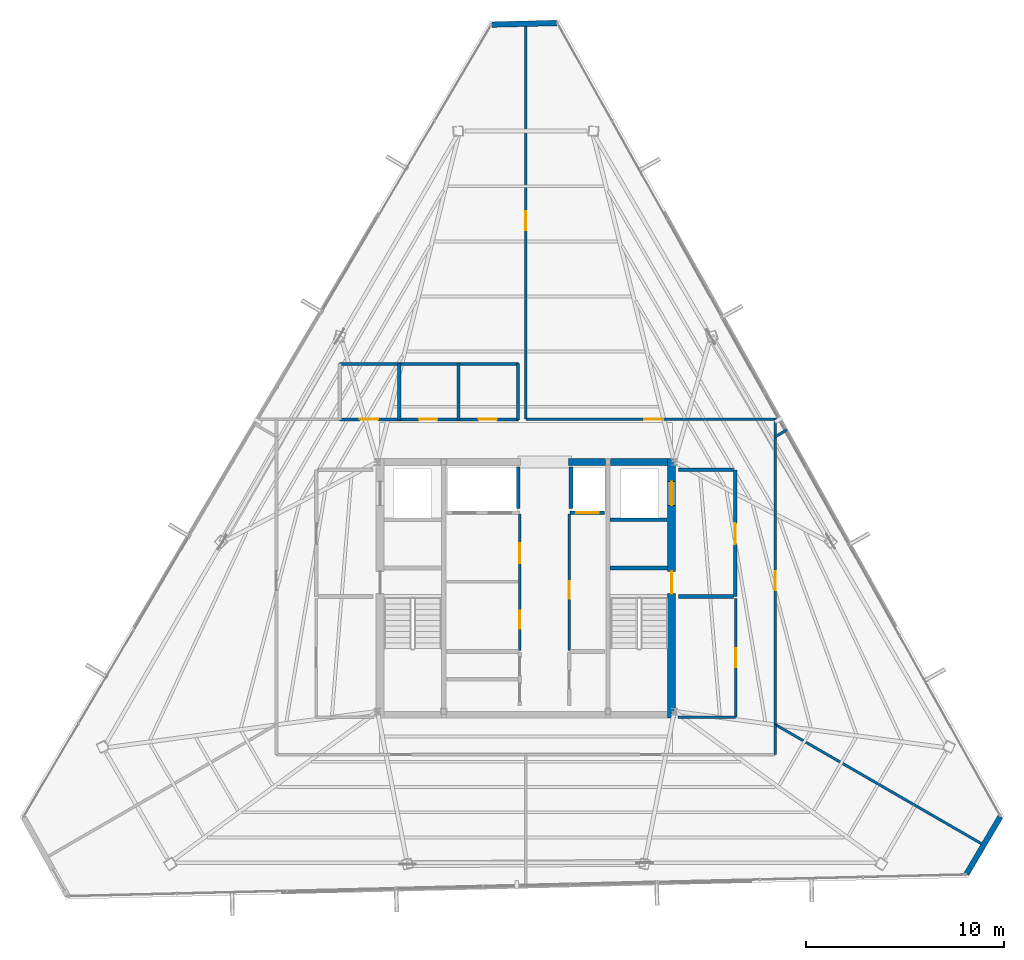
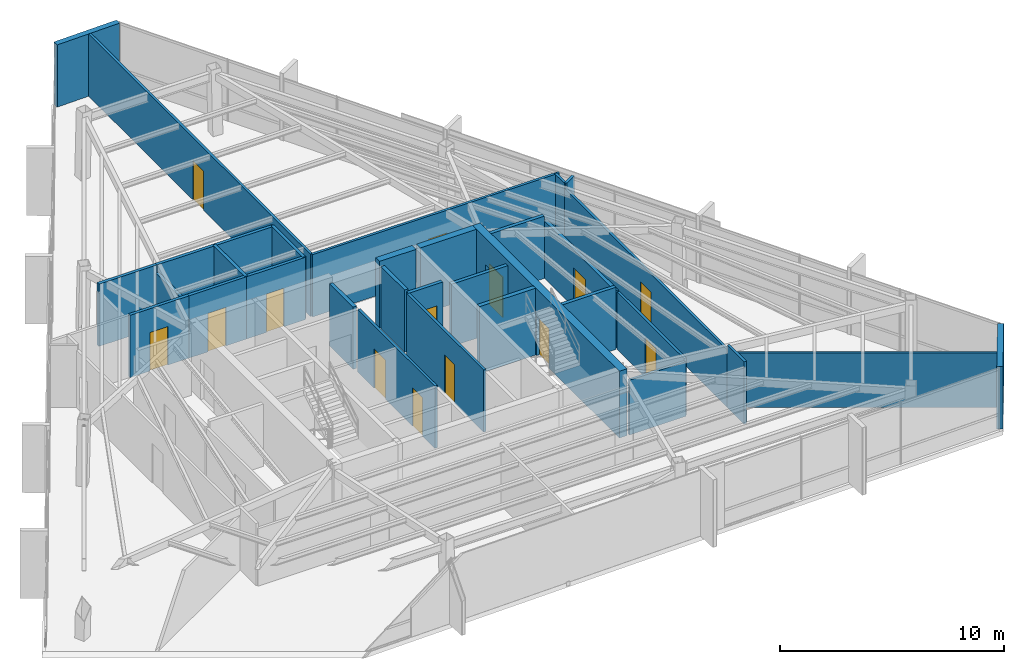
# One storey, part 42 of 45: 33 walls, 14 doors, 14 openings.
"""IFC4 building model written with IfcOpenShell, lengths in metres."""

from ifc_helpers import new_model, si_unit, direction, frame, frame_2d, origin, place, context, subcontext, project, spatial, rectangle, extrude, material, layer, layer_set, type_object, element, fill, save


model = new_model("IFC4")

# Units and contexts
model_context = context("Model", 3, precision=1e-05, world=origin(), true_north=direction((0.0, 1.0)))
body_context = subcontext(model_context, "Body", "Model", "MODEL_VIEW")
ifc_project = project(units=[si_unit("LENGTHUNIT", "METRE"), si_unit("AREAUNIT", "SQUARE_METRE"), si_unit("VOLUMEUNIT", "CUBIC_METRE"), si_unit("PLANEANGLEUNIT", "RADIAN"), si_unit("MASSUNIT", "GRAM", prefix="KILO")], contexts=[model_context])

# Site, building, storey
site_placement = place(None, origin())
site = spatial("IfcSite", under=ifc_project, at=site_placement, CompositionType="ELEMENT")
building_placement = place(site_placement, origin())
building = spatial("IfcBuilding", under=site, at=building_placement, Name="Caelisora Broadcast Tower", CompositionType="ELEMENT")
storey_placement = place(building_placement, frame((0.0, 0.0, 273.64990234375)))
storey = spatial("IfcBuildingStorey", under=building, at=storey_placement, Name="L72", CompositionType="ELEMENT", Elevation=273.64990234375)

# Wall, openings, doors
ifc_material_1 = material(Name="Concrete 40 MPa (AS 3600 N40)", Category="concrete")
ifc_layer_1 = layer(ifc_material_1, 0.39990234375, Name="Concrete 40 MPa (AS 3600 N40)")
ifc_layer_set_1 = layer_set([ifc_layer_1], Name="Concrete 40 MPa (AS 3600 N40)")
wall_type_1 = type_object("IfcWallType", Name="CW3", PredefinedType="SHEAR", material=ifc_layer_set_1)
wall_1_placement = place(storey_placement, frame((45.360107421875, 17.050048828125, 0.0), z_axis=(0.0, 0.0, 1.0), x_axis=(0.0, 1.0, 0.0)))
wall_1 = element("IfcWall", 1, at=wall_1_placement, inside=storey, type_object=wall_type_1, Name="L72 core shear wall CW3", PredefinedType="SHEAR", context=body_context, shape_type="SweptSolid", body=[
    extrude(rectangle(XDim=13.125, YDim=0.39990234375, at=frame_2d((6.5625, 0.0))), origin(), (0.0, 0.0, 1.0), 3.650146484375),
])
opening_1_placement = place(wall_1_placement, frame((6.300048828125, 0.0, 0.0)))
opening_1 = element("IfcOpeningElement", 2, at=opening_1_placement, cuts=wall_1, Name="Opening FD04", PredefinedType="OPENING", context=body_context, shape_type="SweptSolid", body=[
    extrude(rectangle(XDim=1.1201171875, YDim=2.14990234375, at=frame_2d((0.56005859375, 1.074951171875))), frame((0.0, 0.2119140625, 0.0), z_axis=(0.0, -1.0, 0.0), x_axis=(1.0, 0.0, 0.0)), (0.0, 0.0, 1.0), 0.423828125),
])
opening_2_placement = place(wall_1_placement, frame((10.75, 0.0, 0.0)))
opening_2 = element("IfcOpeningElement", 3, at=opening_2_placement, cuts=wall_1, Name="Opening LD04", PredefinedType="OPENING", context=body_context, shape_type="SweptSolid", body=[
    extrude(rectangle(XDim=1.199951171875, YDim=2.199951171875, at=frame_2d((0.60009765625, 1.10009765625))), frame((0.0, 0.2119140625, 0.0), z_axis=(0.0, -1.0, 0.0), x_axis=(1.0, 0.0, 0.0)), (0.0, 0.0, 1.0), 0.423828125),
])
ifc_material_2 = material(Name="Pressurised Fire-Isolated Stair Door", Category="steel")
door_type_1 = type_object("IfcDoorType", Name="FD04", OperationType="NOTDEFINED", PredefinedType="DOOR", material=ifc_material_2)
door_1_placement = place(opening_1_placement, origin())
door_1 = element("IfcDoor", 4, at=door_1_placement, inside=storey, type_object=door_type_1, Name="L72 door FD04 (L72-DR-ST2)", OperationType="SINGLE_SWING_RIGHT", OverallHeight=2.14990234375, OverallWidth=1.1201171875, PredefinedType="DOOR", context=body_context, shape_type="SweptSolid", body=[
    extrude(rectangle(XDim=1.1201171875, YDim=2.14990234375, at=frame_2d((0.56005859375, 1.074951171875))), frame((0.0, 0.02490234375, 0.0), z_axis=(0.0, -1.0, 0.0), x_axis=(1.0, 0.0, 0.0)), (0.0, 0.0, 1.0), 0.050048828125),
])
fill(opening_1, door_1)
ifc_material_3 = material(Name="Emergency Firefighting Lift Sliding Landing Door", Category="steel")
door_type_2 = type_object("IfcDoorType", Name="LD04", OperationType="NOTDEFINED", PredefinedType="DOOR", material=ifc_material_3)
door_2_placement = place(opening_2_placement, origin())
door_2 = element("IfcDoor", 5, at=door_2_placement, inside=storey, type_object=door_type_2, Name="L72 door LD04 (L72-LD-FFL2)", OperationType="SLIDING_TO_RIGHT", OverallHeight=2.199951171875, OverallWidth=1.199951171875, PredefinedType="DOOR", context=body_context, shape_type="SweptSolid", body=[
    extrude(rectangle(XDim=1.199951171875, YDim=2.199951171875, at=frame_2d((0.60009765625, 1.10009765625))), frame((0.0, 0.02490234375, 0.0), z_axis=(0.0, -1.0, 0.0), x_axis=(1.0, 0.0, 0.0)), (0.0, 0.0, 1.0), 0.050048828125),
])
fill(opening_2, door_2)

# Walls
ifc_layer_2 = layer(ifc_material_1, 0.35009765625, Name="Concrete 40 MPa (AS 3600 N40)")
ifc_layer_set_2 = layer_set([ifc_layer_2], Name="Concrete 40 MPa (AS 3600 N40)")
wall_type_2 = type_object("IfcWallType", Name="CW6", PredefinedType="SHEAR", material=ifc_layer_set_2)
wall_2_placement = place(storey_placement, frame((40.159912109375, 30.0, 0.0), z_axis=(0.0, 0.0, 1.0), x_axis=(1.0, 0.0, 0.0)))
element("IfcWall", 6, at=wall_2_placement, inside=storey, type_object=wall_type_2, Name="L72 core shear wall CW6", PredefinedType="SHEAR", context=body_context, shape_type="SweptSolid", body=[
    extrude(rectangle(XDim=1.880126953125, YDim=0.35009765625, at=frame_2d((0.93994140625, 0.0))), origin(), (0.0, 0.0, 1.0), 3.650146484375),
])
wall_3_placement = place(storey_placement, frame((42.260009765625, 30.0, 0.0), z_axis=(0.0, 0.0, 1.0), x_axis=(1.0, 0.0, 0.0)))
element("IfcWall", 7, at=wall_3_placement, inside=storey, type_object=wall_type_2, Name="L72 core shear wall CW6", PredefinedType="SHEAR", context=body_context, shape_type="SweptSolid", body=[
    extrude(rectangle(XDim=2.89990234375, YDim=0.35009765625, at=frame_2d((1.449951171875, 0.0))), origin(), (0.0, 0.0, 1.0), 3.650146484375),
])
ifc_material_4 = material(Name="Concrete 50 MPa (AS 3600 S50)", Category="concrete")
ifc_layer_3 = layer(ifc_material_4, 0.219970703125, Name="Concrete 50 MPa (AS 3600 S50)")
ifc_layer_set_3 = layer_set([ifc_layer_3], Name="Concrete 50 MPa (AS 3600 S50)")
wall_type_3 = type_object("IfcWallType", Name="CW7", PredefinedType="SHEAR", material=ifc_layer_set_3)
wall_4_placement = place(storey_placement, frame((42.260009765625, 24.639892578125, 0.0), z_axis=(0.0, 0.0, 1.0), x_axis=(1.0, 0.0, 0.0)))
element("IfcWall", 8, at=wall_4_placement, inside=storey, type_object=wall_type_3, Name="L72 core shear wall CW7", PredefinedType="SHEAR", context=body_context, shape_type="SweptSolid", body=[
    extrude(rectangle(XDim=2.89990234375, YDim=0.219970703125, at=frame_2d((1.449951171875, 0.0))), origin(), (0.0, 0.0, 1.0), 3.650146484375),
])
ifc_material_5 = material(Name="Insulated Terracotta Spandrel Wall System", Category="masonry")
ifc_layer_4 = layer(ifc_material_5, 0.280029296875, Name="Insulated Terracotta Spandrel Wall System")
ifc_layer_set_4 = layer_set([ifc_layer_4], Name="Insulated Terracotta Spandrel Wall System")
wall_type_4 = type_object("IfcWallType", Name="EW1", PredefinedType="STANDARD", material=ifc_layer_set_4)
wall_5_placement = place(storey_placement, frame((61.966796875, 12.067138671875, 0.0), z_axis=(0.0, 0.0, 1.0), x_axis=(-0.508682807626, -0.860954006452, 0.0)))
element("IfcWall", 9, at=wall_5_placement, inside=storey, type_object=wall_type_4, Name="L72 exterior envelope wall EW1", PredefinedType="STANDARD", context=body_context, shape_type="SweptSolid", body=[
    extrude(rectangle(XDim=3.360595703125, YDim=0.280029296875, at=frame_2d((1.68017578125, 0.0))), origin(), (0.0, 0.0, 1.0), 3.400146484375),
])
wall_6_placement = place(storey_placement, frame((36.291015625, 52.0927734375, 0.0), z_axis=(0.0, 0.0, 1.0), x_axis=(0.999704108514, 0.024324790221, 0.0)))
element("IfcWall", 10, at=wall_6_placement, inside=storey, type_object=wall_type_4, Name="L72 exterior envelope wall EW1", PredefinedType="STANDARD", context=body_context, shape_type="SweptSolid", body=[
    extrude(rectangle(XDim=3.27197265625, YDim=0.280029296875, at=frame_2d((1.635986328125, 0.0))), origin(), (0.0, 0.0, 1.0), 3.400146484375),
])

# Wall, opening, door
ifc_material_6 = material(Name="Fire-Rated Gypsum Shaft and Compartment Wall", Category="gypsum")
ifc_layer_5 = layer(ifc_material_6, 0.179931640625, Name="Fire-Rated Gypsum Shaft and Compartment Wall")
ifc_layer_set_5 = layer_set([ifc_layer_5], Name="Fire-Rated Gypsum Shaft and Compartment Wall")
wall_type_5 = type_object("IfcWallType", Name="PW2", PredefinedType="PARTITIONING", material=ifc_layer_set_5)
wall_7_placement = place(storey_placement, frame((40.219970703125, 27.419921875, 0.0), z_axis=(0.0, 0.0, 1.0), x_axis=(1.0, 0.0, 0.0)))
wall_7 = element("IfcWall", 11, at=wall_7_placement, inside=storey, type_object=wall_type_5, Name="L72 fire compartment wall PW2", PredefinedType="PARTITIONING", context=body_context, shape_type="SweptSolid", body=[
    extrude(rectangle(XDim=1.760009765625, YDim=0.179931640625, at=frame_2d((0.8798828125, 0.0))), origin(), (0.0, 0.0, 1.0), 3.400146484375),
])
opening_3_placement = place(wall_7_placement, frame((0.320068359375, 0.0, 0.0)))
opening_3 = element("IfcOpeningElement", 12, at=opening_3_placement, cuts=wall_7, Name="Opening LD02", PredefinedType="OPENING", context=body_context, shape_type="SweptSolid", body=[
    extrude(rectangle(XDim=1.14990234375, YDim=2.199951171875, at=frame_2d((0.574951171875, 1.10009765625))), frame((0.0, 0.10205078125, 0.0), z_axis=(0.0, -1.0, 0.0), x_axis=(1.0, 0.0, 0.0)), (0.0, 0.0, 1.0), 0.203857421875),
])
ifc_material_7 = material(Name="High-Speed Express Lift Sliding Landing Door", Category="steel")
door_type_3 = type_object("IfcDoorType", Name="LD02", OperationType="NOTDEFINED", PredefinedType="DOOR", material=ifc_material_7)
door_3_placement = place(opening_3_placement, origin())
door_3 = element("IfcDoor", 13, at=door_3_placement, inside=storey, type_object=door_type_3, Name="L72 door LD02 (L72-LD-PLH3)", OperationType="SLIDING_TO_RIGHT", OverallHeight=2.199951171875, OverallWidth=1.14990234375, PredefinedType="DOOR", context=body_context, shape_type="SweptSolid", body=[
    extrude(rectangle(XDim=1.14990234375, YDim=2.199951171875, at=frame_2d((0.574951171875, 1.10009765625))), frame((0.0, 0.02490234375, 0.0), z_axis=(0.0, -1.0, 0.0), x_axis=(1.0, 0.0, 0.0)), (0.0, 0.0, 1.0), 0.050048828125),
])
fill(opening_3, door_3)

# Walls
for number, where, z_axis, x_axis, name in (
    (14, (37.6201171875, 27.639892578125, 0.0), (0.0, 0.0, 1.0), (0.0, 1.0, 0.0), "L72 fire compartment wall PW2"),
    (15, (40.280029296875, 27.639892578125, 0.0), (0.0, 0.0, 1.0), (0.0, 1.0, 0.0), "L72 fire compartment wall PW2"),
):
    element("IfcWall", number, at=place(storey_placement, frame(where, z_axis=z_axis, x_axis=x_axis)), inside=storey, type_object=wall_type_5, Name=name, PredefinedType="PARTITIONING", context=body_context, shape_type="SweptSolid", body=[
        extrude(rectangle(XDim=2.110107421875, YDim=0.179931640625, at=frame_2d((1.05517578125, 0.0))), origin(), (0.0, 0.0, 1.0), 3.400146484375),
    ])

# Wall, opening, door
wall_8_placement = place(storey_placement, frame((48.580078125, 23.199951171875, 0.0), z_axis=(0.0, 0.0, 1.0), x_axis=(0.0, 1.0, 0.0)))
wall_8 = element("IfcWall", 16, at=wall_8_placement, inside=storey, type_object=wall_type_5, Name="L72 fire compartment wall PW2", PredefinedType="PARTITIONING", context=body_context, shape_type="SweptSolid", body=[
    extrude(rectangle(XDim=6.400146484375, YDim=0.179931640625, at=frame_2d((3.2001953125, 0.0))), origin(), (0.0, 0.0, 1.0), 3.12890625),
])
opening_4_placement = place(wall_8_placement, frame((2.64990234375, 0.0, 0.0)))
opening_4 = element("IfcOpeningElement", 17, at=opening_4_placement, cuts=wall_8, Name="Opening FD02", PredefinedType="OPENING", context=body_context, shape_type="SweptSolid", body=[
    extrude(rectangle(XDim=1.050048828125, YDim=2.14990234375, at=frame_2d((0.52490234375, 1.074951171875))), frame((0.0, 0.10205078125, 0.0), z_axis=(0.0, -1.0, 0.0), x_axis=(1.0, 0.0, 0.0)), (0.0, 0.0, 1.0), 0.203857421875),
])
ifc_material_8 = material(Name="Single-Leaf Steel Fire Lobby Door", Category="steel")
door_type_4 = type_object("IfcDoorType", Name="FD02", OperationType="NOTDEFINED", PredefinedType="DOOR", material=ifc_material_8)
door_4_placement = place(opening_4_placement, origin())
door_4 = element("IfcDoor", 18, at=door_4_placement, inside=storey, type_object=door_type_4, Name="L72 door FD02 (L72-DR-P04D1)", OperationType="SINGLE_SWING_RIGHT", OverallHeight=2.14990234375, OverallWidth=1.050048828125, PredefinedType="DOOR", context=body_context, shape_type="SweptSolid", body=[
    extrude(rectangle(XDim=1.050048828125, YDim=2.14990234375, at=frame_2d((0.52490234375, 1.074951171875))), frame((0.0, 0.02490234375, 0.0), z_axis=(0.0, -1.0, 0.0), x_axis=(1.0, 0.0, 0.0)), (0.0, 0.0, 1.0), 0.050048828125),
])
fill(opening_4, door_4)

# Walls
for number, where, z_axis, x_axis, name in (
    (19, (45.719970703125, 23.199951171875, 0.0), (0.0, 0.0, 1.0), (1.0, 0.0, 0.0), "L72 fire compartment wall PW2"),
    (20, (45.719970703125, 29.60009765625, 0.0), (0.0, 0.0, 1.0), (1.0, 0.0, 0.0), "L72 fire compartment wall PW2"),
):
    element("IfcWall", number, at=place(storey_placement, frame(where, z_axis=z_axis, x_axis=x_axis)), inside=storey, type_object=wall_type_5, Name=name, PredefinedType="PARTITIONING", context=body_context, shape_type="SweptSolid", body=[
        extrude(rectangle(XDim=2.760009765625, YDim=0.179931640625, at=frame_2d((1.3798828125, 0.0))), origin(), (0.0, 0.0, 1.0), 3.400146484375),
    ])
wall_9_placement = place(storey_placement, frame((42.239990234375, 27.070068359375, 0.0), z_axis=(0.0, 0.0, 1.0), x_axis=(1.0, 0.0, 0.0)))
element("IfcWall", 21, at=wall_9_placement, inside=storey, type_object=wall_type_5, Name="L72 fire compartment wall PW2", PredefinedType="PARTITIONING", context=body_context, shape_type="SweptSolid", body=[
    extrude(rectangle(XDim=2.89990234375, YDim=0.179931640625, at=frame_2d((1.449951171875, 0.0))), origin(), (0.0, 0.0, 1.0), 3.400146484375),
])

# Wall, openings, doors
ifc_material_9 = material(Name="Acoustic Steel-Stud Plasterboard Partition", Category="gypsum")
ifc_layer_6 = layer(ifc_material_9, 0.1298828125, Name="Acoustic Steel-Stud Plasterboard Partition")
ifc_layer_set_6 = layer_set([ifc_layer_6], Name="Acoustic Steel-Stud Plasterboard Partition")
wall_type_6 = type_object("IfcWallType", Name="PW3", PredefinedType="PARTITIONING", material=ifc_layer_set_6)
wall_10_placement = place(storey_placement, frame((37.679931640625, 20.47998046875, 0.0), z_axis=(0.0, 0.0, 1.0), x_axis=(0.0, 1.0, 0.0)))
wall_10 = element("IfcWall", 22, at=wall_10_placement, inside=storey, type_object=wall_type_6, Name="L72 internal partition PW3", PredefinedType="PARTITIONING", context=body_context, shape_type="SweptSolid", body=[
    extrude(rectangle(XDim=6.89990234375, YDim=0.1298828125, at=frame_2d((3.449951171875, 0.0))), origin(), (0.0, 0.0, 1.0), 3.400146484375),
])
opening_5_placement = place(wall_10_placement, frame((1.10009765625, 0.0, 0.0)))
opening_5 = element("IfcOpeningElement", 23, at=opening_5_placement, cuts=wall_10, Name="Opening FD03", PredefinedType="OPENING", context=body_context, shape_type="SweptSolid", body=[
    extrude(rectangle(XDim=0.89990234375, YDim=2.10009765625, at=frame_2d((0.449951171875, 1.050048828125))), frame((0.0, 0.076904296875, 0.0), z_axis=(0.0, -1.0, 0.0), x_axis=(1.0, 0.0, 0.0)), (0.0, 0.0, 1.0), 0.15380859375),
])
opening_6_placement = place(wall_10_placement, frame((4.39990234375, 0.0, 0.0)))
opening_6 = element("IfcOpeningElement", 24, at=opening_6_placement, cuts=wall_10, Name="Opening D02", PredefinedType="OPENING", context=body_context, shape_type="SweptSolid", body=[
    extrude(rectangle(XDim=1.02001953125, YDim=2.14990234375, at=frame_2d((0.510009765625, 1.074951171875))), frame((0.0, 0.076904296875, 0.0), z_axis=(0.0, -1.0, 0.0), x_axis=(1.0, 0.0, 0.0)), (0.0, 0.0, 1.0), 0.15380859375),
])
ifc_material_10 = material(Name="Solid-Core Timber Archive Suite Door", Category="wood")
door_type_5 = type_object("IfcDoorType", Name="D02", OperationType="NOTDEFINED", PredefinedType="DOOR", material=ifc_material_10)
door_5_placement = place(opening_6_placement, origin())
door_5 = element("IfcDoor", 25, at=door_5_placement, inside=storey, type_object=door_type_5, Name="L72 door D02 (L72-DR-P12D2)", OperationType="SINGLE_SWING_RIGHT", OverallHeight=2.14990234375, OverallWidth=1.02001953125, PredefinedType="DOOR", context=body_context, shape_type="SweptSolid", body=[
    extrude(rectangle(XDim=1.02001953125, YDim=2.14990234375, at=frame_2d((0.510009765625, 1.074951171875))), frame((0.0, 0.02490234375, 0.0), z_axis=(0.0, -1.0, 0.0), x_axis=(1.0, 0.0, 0.0)), (0.0, 0.0, 1.0), 0.050048828125),
])
fill(opening_6, door_5)
ifc_material_11 = material(Name="Single-Leaf Steel Riser Fire Access Door", Category="steel")
door_type_6 = type_object("IfcDoorType", Name="FD03", OperationType="NOTDEFINED", PredefinedType="DOOR", material=ifc_material_11)
door_6_placement = place(opening_5_placement, origin())
door_6 = element("IfcDoor", 26, at=door_6_placement, inside=storey, type_object=door_type_6, Name="L72 door FD03 (L72-DR-P12D1)", OperationType="SINGLE_SWING_LEFT", OverallHeight=2.10009765625, OverallWidth=0.89990234375, PredefinedType="DOOR", context=body_context, shape_type="SweptSolid", body=[
    extrude(rectangle(XDim=0.89990234375, YDim=2.10009765625, at=frame_2d((0.449951171875, 1.050048828125))), frame((0.0, 0.02490234375, 0.0), z_axis=(0.0, -1.0, 0.0), x_axis=(1.0, 0.0, 0.0)), (0.0, 0.0, 1.0), 0.050048828125),
])
fill(opening_5, door_6)

# Wall, opening, door
wall_11_placement = place(storey_placement, frame((40.199951171875, 20.47998046875, 0.0), z_axis=(0.0, 0.0, 1.0), x_axis=(0.0, 1.0, 0.0)))
wall_11 = element("IfcWall", 27, at=wall_11_placement, inside=storey, type_object=wall_type_6, Name="L72 internal partition PW3", PredefinedType="PARTITIONING", context=body_context, shape_type="SweptSolid", body=[
    extrude(rectangle(XDim=6.89990234375, YDim=0.1298828125, at=frame_2d((3.449951171875, 0.0))), origin(), (0.0, 0.0, 1.0), 3.400146484375),
])
opening_7_placement = place(wall_11_placement, frame((2.60009765625, 0.0, 0.0)))
opening_7 = element("IfcOpeningElement", 28, at=opening_7_placement, cuts=wall_11, Name="Opening FD03", PredefinedType="OPENING", context=body_context, shape_type="SweptSolid", body=[
    extrude(rectangle(XDim=0.89990234375, YDim=2.10009765625, at=frame_2d((0.449951171875, 1.050048828125))), frame((0.0, 0.076904296875, 0.0), z_axis=(0.0, -1.0, 0.0), x_axis=(1.0, 0.0, 0.0)), (0.0, 0.0, 1.0), 0.15380859375),
])
door_7_placement = place(opening_7_placement, origin())
door_7 = element("IfcDoor", 29, at=door_7_placement, inside=storey, type_object=door_type_6, Name="L72 door FD03 (L72-DR-P13D1)", OperationType="SINGLE_SWING_LEFT", OverallHeight=2.10009765625, OverallWidth=0.89990234375, PredefinedType="DOOR", context=body_context, shape_type="SweptSolid", body=[
    extrude(rectangle(XDim=0.89990234375, YDim=2.10009765625, at=frame_2d((0.449951171875, 1.050048828125))), frame((0.0, 0.02490234375, 0.0), z_axis=(0.0, -1.0, 0.0), x_axis=(1.0, 0.0, 0.0)), (0.0, 0.0, 1.0), 0.050048828125),
])
fill(opening_7, door_7)

wall_12_placement = place(storey_placement, frame((38.0, 32.155029296875, 0.0), z_axis=(0.0, 0.0, 1.0), x_axis=(0.0, 1.0, 0.0)))
wall_12 = element("IfcWall", 30, at=wall_12_placement, inside=storey, type_object=wall_type_6, Name="L72 internal partition PW3", PredefinedType="PARTITIONING", context=body_context, shape_type="SweptSolid", body=[
    extrude(rectangle(XDim=19.984130859375, YDim=0.1298828125, at=frame_2d((9.9921875, 0.0))), origin(), (0.0, 0.0, 1.0), 3.400146484375),
])
opening_8_placement = place(wall_12_placement, frame((9.556884765625, 0.0, 0.0)))
opening_8 = element("IfcOpeningElement", 31, at=opening_8_placement, cuts=wall_12, Name="Opening D01", PredefinedType="OPENING", context=body_context, shape_type="SweptSolid", body=[
    extrude(rectangle(XDim=0.9599609375, YDim=2.14990234375, at=frame_2d((0.47998046875, 1.074951171875))), frame((0.0, 0.076904296875, 0.0), z_axis=(0.0, -1.0, 0.0), x_axis=(1.0, 0.0, 0.0)), (0.0, 0.0, 1.0), 0.15380859375),
])
ifc_material_12 = material(Name="Solid-Core Timber Acoustic Office Door", Category="wood")
door_type_7 = type_object("IfcDoorType", Name="D01", OperationType="NOTDEFINED", PredefinedType="DOOR", material=ifc_material_12)
door_8_placement = place(opening_8_placement, origin())
door_8 = element("IfcDoor", 32, at=door_8_placement, inside=storey, type_object=door_type_7, Name="L72 door D01 (L72-DR-P27D1)", OperationType="SINGLE_SWING_RIGHT", OverallHeight=2.14990234375, OverallWidth=0.9599609375, PredefinedType="DOOR", context=body_context, shape_type="SweptSolid", body=[
    extrude(rectangle(XDim=0.9599609375, YDim=2.14990234375, at=frame_2d((0.47998046875, 1.074951171875))), frame((0.0, 0.02490234375, 0.0), z_axis=(0.0, -1.0, 0.0), x_axis=(1.0, 0.0, 0.0)), (0.0, 0.0, 1.0), 0.050048828125),
])
fill(opening_8, door_8)

wall_13_placement = place(storey_placement, frame((50.60009765625, 16.735107421875, 0.0), z_axis=(0.0, 0.0, 1.0), x_axis=(0.0, 1.0, 0.0)))
wall_13 = element("IfcWall", 33, at=wall_13_placement, inside=storey, type_object=wall_type_6, Name="L72 internal partition PW3", PredefinedType="PARTITIONING", context=body_context, shape_type="SweptSolid", body=[
    extrude(rectangle(XDim=14.52978515625, YDim=0.1298828125, at=frame_2d((7.264892578125, 0.0))), origin(), (0.0, 0.0, 1.0), 3.12890625),
])
opening_9_placement = place(wall_13_placement, frame((6.784912109375, 0.0, 0.0)))
opening_9 = element("IfcOpeningElement", 34, at=opening_9_placement, cuts=wall_13, Name="Opening D01", PredefinedType="OPENING", context=body_context, shape_type="SweptSolid", body=[
    extrude(rectangle(XDim=0.9599609375, YDim=2.14990234375, at=frame_2d((0.47998046875, 1.074951171875))), frame((0.0, 0.076904296875, 0.0), z_axis=(0.0, -1.0, 0.0), x_axis=(1.0, 0.0, 0.0)), (0.0, 0.0, 1.0), 0.15380859375),
])
door_9_placement = place(opening_9_placement, origin())
door_9 = element("IfcDoor", 35, at=door_9_placement, inside=storey, type_object=door_type_7, Name="L72 door D01 (L72-DR-P28D1)", OperationType="SINGLE_SWING_LEFT", OverallHeight=2.14990234375, OverallWidth=0.9599609375, PredefinedType="DOOR", context=body_context, shape_type="SweptSolid", body=[
    extrude(rectangle(XDim=0.9599609375, YDim=2.14990234375, at=frame_2d((0.47998046875, 1.074951171875))), frame((0.0, 0.02490234375, 0.0), z_axis=(0.0, -1.0, 0.0), x_axis=(1.0, 0.0, 0.0)), (0.0, 0.0, 1.0), 0.050048828125),
])
fill(opening_9, door_9)

wall_14_placement = place(storey_placement, frame((50.757568359375, 32.14990234375, 0.0), z_axis=(0.0, 0.0, 1.0), x_axis=(-1.0, 0.0, 0.0)))
wall_14 = element("IfcWall", 36, at=wall_14_placement, inside=storey, type_object=wall_type_6, Name="L72 internal partition PW3", PredefinedType="PARTITIONING", context=body_context, shape_type="SweptSolid", body=[
    extrude(rectangle(XDim=12.752685546875, YDim=0.1298828125, at=frame_2d((6.37646484375, 0.0))), origin(), (0.0, 0.0, 1.0), 3.400146484375),
])
opening_10_placement = place(wall_14_placement, frame((5.81689453125, 0.0, 0.0)))
opening_10 = element("IfcOpeningElement", 37, at=opening_10_placement, cuts=wall_14, Name="Opening D01", PredefinedType="OPENING", context=body_context, shape_type="SweptSolid", body=[
    extrude(rectangle(XDim=0.9599609375, YDim=2.14990234375, at=frame_2d((0.47998046875, 1.074951171875))), frame((0.0, 0.076904296875, 0.0), z_axis=(0.0, -1.0, 0.0), x_axis=(1.0, 0.0, 0.0)), (0.0, 0.0, 1.0), 0.15380859375),
])
door_10_placement = place(opening_10_placement, origin())
door_10 = element("IfcDoor", 38, at=door_10_placement, inside=storey, type_object=door_type_7, Name="L72 door D01 (L72-DR-P31D1)", OperationType="SINGLE_SWING_LEFT", OverallHeight=2.14990234375, OverallWidth=0.9599609375, PredefinedType="DOOR", context=body_context, shape_type="SweptSolid", body=[
    extrude(rectangle(XDim=0.9599609375, YDim=2.14990234375, at=frame_2d((0.47998046875, 1.074951171875))), frame((0.0, 0.02490234375, 0.0), z_axis=(0.0, -1.0, 0.0), x_axis=(1.0, 0.0, 0.0)), (0.0, 0.0, 1.0), 0.050048828125),
])
fill(opening_10, door_10)

# Wall
wall_15_placement = place(storey_placement, frame((50.60400390625, 16.72705078125, 0.0), z_axis=(0.0, 0.0, 1.0), x_axis=(0.865900635467, -0.500216042824, 0.0)))
element("IfcWall", 39, at=wall_15_placement, inside=storey, type_object=wall_type_6, Name="L72 internal partition PW3", PredefinedType="PARTITIONING", context=body_context, shape_type="SweptSolid", body=[
    extrude(rectangle(XDim=12.15869140625, YDim=0.1298828125, at=frame_2d((6.079345703125, 0.0))), origin(), (0.0, 0.0, 1.0), 2.985107421875),
])

# Wall, opening, door
wall_16_placement = place(storey_placement, frame((48.60009765625, 17.10498046875, 0.0), z_axis=(0.0, 0.0, 1.0), x_axis=(0.0, 1.0, 0.0)))
wall_16 = element("IfcWall", 40, at=wall_16_placement, inside=storey, type_object=wall_type_6, Name="L72 internal partition PW3", PredefinedType="PARTITIONING", context=body_context, shape_type="SweptSolid", body=[
    extrude(rectangle(XDim=6.0, YDim=0.1298828125, at=frame_2d((3.0, 0.0))), origin(), (0.0, 0.0, 1.0), 3.12890625),
])
opening_11_placement = place(wall_16_placement, frame((2.52001953125, 0.0, 0.0)))
opening_11 = element("IfcOpeningElement", 41, at=opening_11_placement, cuts=wall_16, Name="Opening D01", PredefinedType="OPENING", context=body_context, shape_type="SweptSolid", body=[
    extrude(rectangle(XDim=0.9599609375, YDim=2.14990234375, at=frame_2d((0.47998046875, 1.074951171875))), frame((0.0, 0.076904296875, 0.0), z_axis=(0.0, -1.0, 0.0), x_axis=(1.0, 0.0, 0.0)), (0.0, 0.0, 1.0), 0.15380859375),
])
door_11_placement = place(opening_11_placement, origin())
door_11 = element("IfcDoor", 42, at=door_11_placement, inside=storey, type_object=door_type_7, Name="L72 door D01 (L72-DR-P39D1)", OperationType="SINGLE_SWING_LEFT", OverallHeight=2.14990234375, OverallWidth=0.9599609375, PredefinedType="DOOR", context=body_context, shape_type="SweptSolid", body=[
    extrude(rectangle(XDim=0.9599609375, YDim=2.14990234375, at=frame_2d((0.47998046875, 1.074951171875))), frame((0.0, 0.02490234375, 0.0), z_axis=(0.0, -1.0, 0.0), x_axis=(1.0, 0.0, 0.0)), (0.0, 0.0, 1.0), 0.050048828125),
])
fill(opening_11, door_11)

# Walls
wall_17_placement = place(storey_placement, frame((45.675048828125, 17.10009765625, 0.0), z_axis=(0.0, 0.0, 1.0), x_axis=(1.0, 0.0, 0.0)))
element("IfcWall", 43, at=wall_17_placement, inside=storey, type_object=wall_type_6, Name="L72 internal partition PW3", PredefinedType="PARTITIONING", context=body_context, shape_type="SweptSolid", body=[
    extrude(rectangle(XDim=2.919921875, YDim=0.1298828125, at=frame_2d((1.4599609375, 0.0))), origin(), (0.0, 0.0, 1.0), 2.985107421875),
])
wall_18_placement = place(storey_placement, frame((50.60009765625, 15.205078125, 0.0), z_axis=(0.0, 0.0, 1.0), x_axis=(0.0, 1.0, 0.0)))
element("IfcWall", 44, at=wall_18_placement, inside=storey, type_object=wall_type_6, Name="L72 internal partition PW3", PredefinedType="PARTITIONING", context=body_context, shape_type="SweptSolid", body=[
    extrude(rectangle(XDim=1.52001953125, YDim=0.1298828125, at=frame_2d((0.760009765625, 0.0))), origin(), (0.0, 0.0, 1.0), 3.400146484375),
])
wall_19_placement = place(storey_placement, frame((50.60009765625, 31.27490234375, 0.0), z_axis=(0.0, 0.0, 1.0), x_axis=(0.0, 1.0, 0.0)))
element("IfcWall", 45, at=wall_19_placement, inside=storey, type_object=wall_type_6, Name="L72 internal partition PW3", PredefinedType="PARTITIONING", context=body_context, shape_type="SweptSolid", body=[
    extrude(rectangle(XDim=0.875, YDim=0.1298828125, at=frame_2d((0.4375, 0.0))), origin(), (0.0, 0.0, 1.0), 3.400146484375),
])
wall_20_placement = place(storey_placement, frame((50.60400390625, 31.27294921875, 0.0), z_axis=(0.0, 0.0, 1.0), x_axis=(0.860326468729, 0.509743432722, 0.0)))
element("IfcWall", 46, at=wall_20_placement, inside=storey, type_object=wall_type_6, Name="L72 internal partition PW3", PredefinedType="PARTITIONING", context=body_context, shape_type="SweptSolid", body=[
    extrude(rectangle(XDim=0.68115234375, YDim=0.1298828125, at=frame_2d((0.340576171875, 0.0))), origin(), (0.0, 0.0, 1.0), 3.400146484375),
])

# Wall, opening, door
ifc_material_13 = material(Name="Moisture-Resistant Wet Plumbing Service Wall", Category="gypsum")
ifc_layer_7 = layer(ifc_material_13, 0.159912109375, Name="Moisture-Resistant Wet Plumbing Service Wall")
ifc_layer_set_7 = layer_set([ifc_layer_7], Name="Moisture-Resistant Wet Plumbing Service Wall")
wall_type_7 = type_object("IfcWallType", Name="PW4", PredefinedType="PLUMBINGWALL", material=ifc_layer_set_7)
wall_21_placement = place(storey_placement, frame((28.574951171875, 32.14990234375, 0.0), z_axis=(0.0, 0.0, 1.0), x_axis=(1.0, 0.0, 0.0)))
wall_21 = element("IfcWall", 47, at=wall_21_placement, inside=storey, type_object=wall_type_7, Name="L72 wet plumbing wall PW4", PredefinedType="PLUMBINGWALL", context=body_context, shape_type="SweptSolid", body=[
    extrude(rectangle(XDim=3.050048828125, YDim=0.159912109375, at=frame_2d((1.52490234375, 0.0))), origin(), (0.0, 0.0, 1.0), 3.400146484375),
])
opening_12_placement = place(wall_21_placement, frame((1.034912109375, 0.0, 0.0)))
opening_12 = element("IfcOpeningElement", 48, at=opening_12_placement, cuts=wall_21, Name="Opening D03", PredefinedType="OPENING", context=body_context, shape_type="SweptSolid", body=[
    extrude(rectangle(XDim=0.919921875, YDim=2.10009765625, at=frame_2d((0.4599609375, 1.050048828125))), frame((0.0, 0.092041015625, 0.0), z_axis=(0.0, -1.0, 0.0), x_axis=(1.0, 0.0, 0.0)), (0.0, 0.0, 1.0), 0.183837890625),
])
ifc_material_14 = material(Name="Laminate Moisture-Resistant Amenity WC Door", Category="wood")
door_type_8 = type_object("IfcDoorType", Name="D03", OperationType="NOTDEFINED", PredefinedType="DOOR", material=ifc_material_14)
door_12_placement = place(opening_12_placement, origin())
door_12 = element("IfcDoor", 49, at=door_12_placement, inside=storey, type_object=door_type_8, Name="L72 door D03 (L72-DR-P17D1)", OperationType="SINGLE_SWING_LEFT", OverallHeight=2.10009765625, OverallWidth=0.919921875, PredefinedType="DOOR", context=body_context, shape_type="SweptSolid", body=[
    extrude(rectangle(XDim=0.919921875, YDim=2.10009765625, at=frame_2d((0.4599609375, 1.050048828125))), frame((0.0, 0.02490234375, 0.0), z_axis=(0.0, -1.0, 0.0), x_axis=(1.0, 0.0, 0.0)), (0.0, 0.0, 1.0), 0.050048828125),
])
fill(opening_12, door_12)

wall_22_placement = place(storey_placement, frame((31.574951171875, 32.14990234375, 0.0), z_axis=(0.0, 0.0, 1.0), x_axis=(1.0, 0.0, 0.0)))
wall_22 = element("IfcWall", 50, at=wall_22_placement, inside=storey, type_object=wall_type_7, Name="L72 wet plumbing wall PW4", PredefinedType="PLUMBINGWALL", context=body_context, shape_type="SweptSolid", body=[
    extrude(rectangle(XDim=3.050048828125, YDim=0.159912109375, at=frame_2d((1.52490234375, 0.0))), origin(), (0.0, 0.0, 1.0), 3.400146484375),
])
opening_13_placement = place(wall_22_placement, frame((1.034912109375, 0.0, 0.0)))
opening_13 = element("IfcOpeningElement", 51, at=opening_13_placement, cuts=wall_22, Name="Opening D03", PredefinedType="OPENING", context=body_context, shape_type="SweptSolid", body=[
    extrude(rectangle(XDim=0.919921875, YDim=2.10009765625, at=frame_2d((0.4599609375, 1.050048828125))), frame((0.0, 0.092041015625, 0.0), z_axis=(0.0, -1.0, 0.0), x_axis=(1.0, 0.0, 0.0)), (0.0, 0.0, 1.0), 0.183837890625),
])
door_13_placement = place(opening_13_placement, origin())
door_13 = element("IfcDoor", 52, at=door_13_placement, inside=storey, type_object=door_type_8, Name="L72 door D03 (L72-DR-P18D1)", OperationType="SINGLE_SWING_RIGHT", OverallHeight=2.10009765625, OverallWidth=0.919921875, PredefinedType="DOOR", context=body_context, shape_type="SweptSolid", body=[
    extrude(rectangle(XDim=0.919921875, YDim=2.10009765625, at=frame_2d((0.4599609375, 1.050048828125))), frame((0.0, 0.02490234375, 0.0), z_axis=(0.0, -1.0, 0.0), x_axis=(1.0, 0.0, 0.0)), (0.0, 0.0, 1.0), 0.050048828125),
])
fill(opening_13, door_13)

wall_23_placement = place(storey_placement, frame((34.574951171875, 32.14990234375, 0.0), z_axis=(0.0, 0.0, 1.0), x_axis=(1.0, 0.0, 0.0)))
wall_23 = element("IfcWall", 53, at=wall_23_placement, inside=storey, type_object=wall_type_7, Name="L72 wet plumbing wall PW4", PredefinedType="PLUMBINGWALL", context=body_context, shape_type="SweptSolid", body=[
    extrude(rectangle(XDim=3.050048828125, YDim=0.159912109375, at=frame_2d((1.52490234375, 0.0))), origin(), (0.0, 0.0, 1.0), 3.400146484375),
])
opening_14_placement = place(wall_23_placement, frame((1.034912109375, 0.0, 0.0)))
opening_14 = element("IfcOpeningElement", 54, at=opening_14_placement, cuts=wall_23, Name="Opening D03", PredefinedType="OPENING", context=body_context, shape_type="SweptSolid", body=[
    extrude(rectangle(XDim=0.919921875, YDim=2.10009765625, at=frame_2d((0.4599609375, 1.050048828125))), frame((0.0, 0.092041015625, 0.0), z_axis=(0.0, -1.0, 0.0), x_axis=(1.0, 0.0, 0.0)), (0.0, 0.0, 1.0), 0.183837890625),
])
door_14_placement = place(opening_14_placement, origin())
door_14 = element("IfcDoor", 55, at=door_14_placement, inside=storey, type_object=door_type_8, Name="L72 door D03 (L72-DR-P19D1)", OperationType="SINGLE_SWING_LEFT", OverallHeight=2.10009765625, OverallWidth=0.919921875, PredefinedType="DOOR", context=body_context, shape_type="SweptSolid", body=[
    extrude(rectangle(XDim=0.919921875, YDim=2.10009765625, at=frame_2d((0.4599609375, 1.050048828125))), frame((0.0, 0.02490234375, 0.0), z_axis=(0.0, -1.0, 0.0), x_axis=(1.0, 0.0, 0.0)), (0.0, 0.0, 1.0), 0.050048828125),
])
fill(opening_14, door_14)

# Walls
for number, where, z_axis, x_axis, name in (
    (56, (28.574951171875, 34.949951171875, 0.0), (0.0, 0.0, 1.0), (1.0, 0.0, 0.0), "L72 wet plumbing wall PW4"),
    (57, (31.574951171875, 34.949951171875, 0.0), (0.0, 0.0, 1.0), (1.0, 0.0, 0.0), "L72 wet plumbing wall PW4"),
    (58, (37.625, 34.949951171875, 0.0), (0.0, 0.0, 1.0), (-1.0, 0.0, 0.0), "L72 wet plumbing wall PW4"),
):
    element("IfcWall", number, at=place(storey_placement, frame(where, z_axis=z_axis, x_axis=x_axis)), inside=storey, type_object=wall_type_7, Name=name, PredefinedType="PLUMBINGWALL", context=body_context, shape_type="SweptSolid", body=[
        extrude(rectangle(XDim=3.050048828125, YDim=0.159912109375, at=frame_2d((1.52490234375, 0.0))), origin(), (0.0, 0.0, 1.0), 3.400146484375),
    ])
wall_24_placement = place(storey_placement, frame((31.60009765625, 32.125, 0.0), z_axis=(0.0, 0.0, 1.0), x_axis=(0.0, 1.0, 0.0)))
element("IfcWall", 59, at=wall_24_placement, inside=storey, type_object=wall_type_7, Name="L72 wet plumbing wall PW4", PredefinedType="PLUMBINGWALL", context=body_context, shape_type="SweptSolid", body=[
    extrude(rectangle(XDim=2.85009765625, YDim=0.159912109375, at=frame_2d((1.425048828125, 0.0))), origin(), (0.0, 0.0, 1.0), 2.985107421875),
])
for number, where, z_axis, x_axis, name in (
    (60, (34.60009765625, 32.125, 0.0), (0.0, 0.0, 1.0), (0.0, 1.0, 0.0), "L72 wet plumbing wall PW4"),
    (61, (37.60009765625, 32.125, 0.0), (0.0, 0.0, 1.0), (0.0, 1.0, 0.0), "L72 wet plumbing wall PW4"),
):
    element("IfcWall", number, at=place(storey_placement, frame(where, z_axis=z_axis, x_axis=x_axis)), inside=storey, type_object=wall_type_7, Name=name, PredefinedType="PLUMBINGWALL", context=body_context, shape_type="SweptSolid", body=[
        extrude(rectangle(XDim=2.85009765625, YDim=0.159912109375, at=frame_2d((1.425048828125, 0.0))), origin(), (0.0, 0.0, 1.0), 3.400146484375),
    ])

save(model, "model.ifc")
